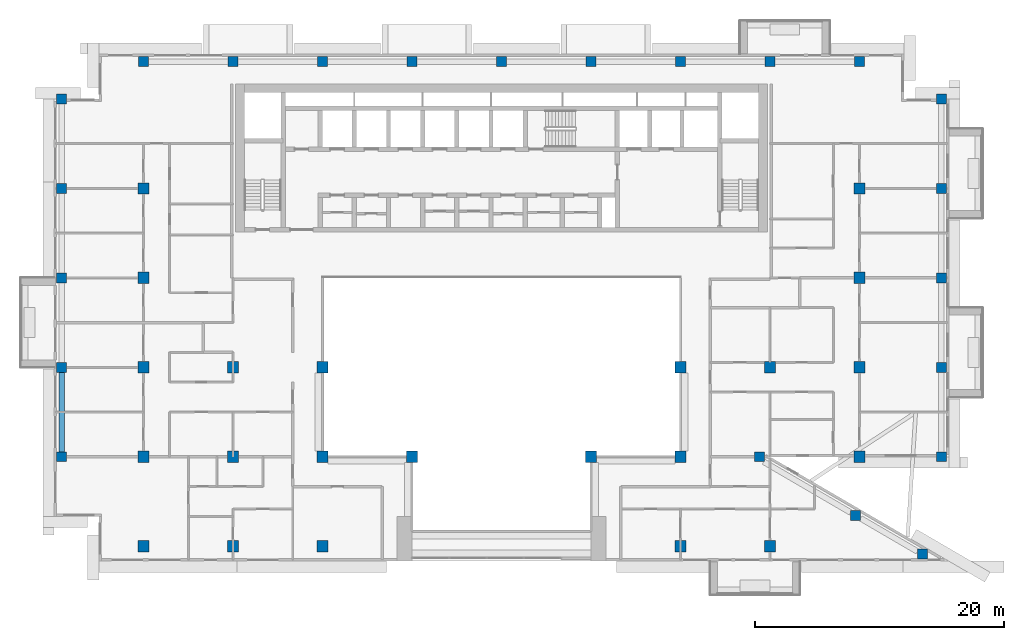
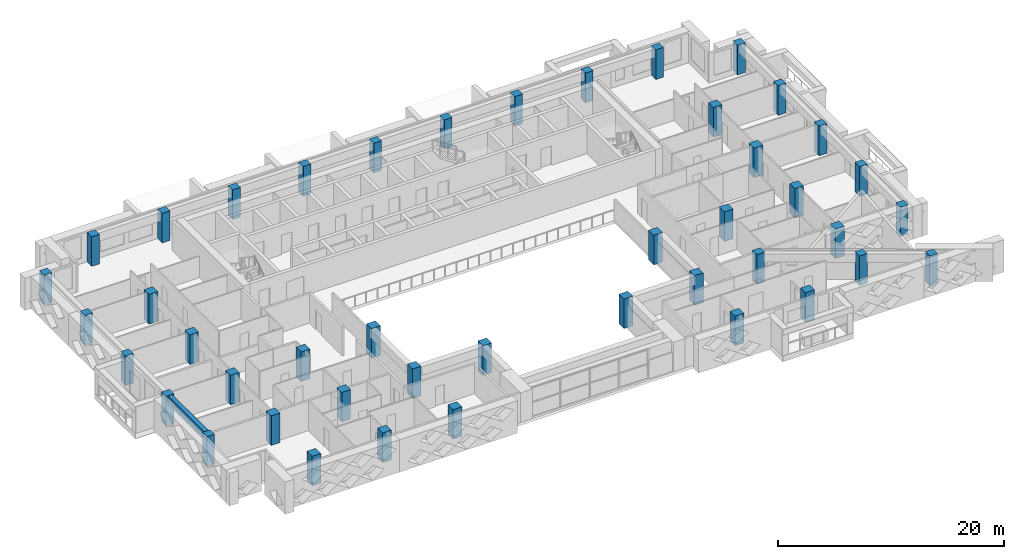
# One storey, part 1 of 20: 44 columns, 1 beam.
"""IFC4 building model written with IfcOpenShell, lengths in metres."""

from ifc_helpers import new_model, si_unit, direction, frame, origin, origin_2d, place, context, subcontext, project, spatial, rectangle, extrude, source, transform, mapped, material, material_profile, profile_set, type_object, element, save


model = new_model("IFC4")

# Units and contexts
model_context = context("Model", 3, precision=1e-05, world=origin(), true_north=direction((0.0, 1.0)))
body_context = subcontext(model_context, "Body", "Model", "MODEL_VIEW")
ifc_project = project(units=[si_unit("LENGTHUNIT", "METRE"), si_unit("AREAUNIT", "SQUARE_METRE"), si_unit("VOLUMEUNIT", "CUBIC_METRE"), si_unit("PLANEANGLEUNIT", "RADIAN"), si_unit("MASSUNIT", "GRAM", prefix="KILO")], contexts=[model_context])

# Site, building, storey
site_placement = place(None, origin())
site = spatial("IfcSite", under=ifc_project, at=site_placement, CompositionType="ELEMENT")
building_placement = place(site_placement, origin())
building = spatial("IfcBuilding", under=site, at=building_placement, Name="Saffron Iwan Residences", CompositionType="ELEMENT")
storey_placement = place(building_placement, frame((0.0, 0.0, 185.0)))
storey = spatial("IfcBuildingStorey", under=building, at=storey_placement, Name="L49", CompositionType="ELEMENT", Elevation=185.0)

# Columns
ifc_material = material(Name="Concrete C50/60", Category="concrete")
ifc_material_profile_1 = material_profile(ifc_material, rectangle(XDim=0.89990234375, YDim=0.89990234375, at=origin_2d()), Name="RC 900x900")
ifc_profile_set_1 = profile_set([ifc_material_profile_1], Name="Concrete C50/60")
column_type_1 = type_object("IfcColumnType", Name="COL RC 900x900 C50/60 3200 HIGH", PredefinedType="COLUMN", material=ifc_profile_set_1)
shared_shape_1 = source(origin(), body_context, "Body", "SweptSolid", [
    extrude(rectangle(XDim=0.89990234375, YDim=0.89990234375, at=origin_2d()), origin(), (0.0, 0.0, 1.0), 3.199951171875),
])
for number, where, z_axis, x_axis, name in (
    (1, (21.60009765625, 40.800048828125, 0.0), (0.0, 0.0, 1.0), (1.0, 0.0, 0.0), "Column C049"),
    (2, (28.800048828125, 40.800048828125, 0.0), (0.0, 0.0, 1.0), (1.0, 0.0, 0.0), "Column C051"),
    (3, (36.0, 40.800048828125, 0.0), (0.0, 0.0, 1.0), (1.0, 0.0, 0.0), "Column C052"),
    (4, (64.800048828125, 40.800048828125, 0.0), (0.0, 0.0, 1.0), (1.0, 0.0, 0.0), "Column C055"),
    (5, (72.0, 40.800048828125, 0.0), (0.0, 0.0, 1.0), (1.0, 0.0, 0.0), "Column C056"),
    (6, (21.60009765625, 48.0, 0.0), (0.0, 0.0, 1.0), (1.0, 0.0, 0.0), "Column C063"),
    (7, (28.800048828125, 48.0, 0.0), (0.0, 0.0, 1.0), (1.0, 0.0, 0.0), "Column C064"),
    (8, (36.0, 48.0, 0.0), (0.0, 0.0, 1.0), (1.0, 0.0, 0.0), "Column C065"),
    (9, (43.199951171875, 48.0, 0.0), (0.0, 0.0, 1.0), (1.0, 0.0, 0.0), "Column C066"),
    (10, (57.60009765625, 48.0, 0.0), (0.0, 0.0, 1.0), (1.0, 0.0, 0.0), "Column C068"),
    (11, (64.800048828125, 48.0, 0.0), (0.0, 0.0, 1.0), (1.0, 0.0, 0.0), "Column C069"),
    (12, (79.199951171875, 48.0, 0.0), (0.0, 0.0, 1.0), (1.0, 0.0, 0.0), "Column C072"),
    (13, (21.60009765625, 55.199951171875, 0.0), (0.0, 0.0, 1.0), (1.0, 0.0, 0.0), "Column C079"),
    (14, (28.800048828125, 55.199951171875, 0.0), (0.0, 0.0, 1.0), (1.0, 0.0, 0.0), "Column C080"),
    (15, (36.0, 55.199951171875, 0.0), (0.0, 0.0, 1.0), (1.0, 0.0, 0.0), "Column C081"),
    (16, (64.800048828125, 55.199951171875, 0.0), (0.0, 0.0, 1.0), (1.0, 0.0, 0.0), "Column C082"),
    (17, (72.0, 55.199951171875, 0.0), (0.0, 0.0, 1.0), (1.0, 0.0, 0.0), "Column C083"),
    (18, (79.199951171875, 55.199951171875, 0.0), (0.0, 0.0, 1.0), (1.0, 0.0, 0.0), "Column C084"),
    (19, (21.60009765625, 62.39990234375, 0.0), (0.0, 0.0, 1.0), (1.0, 0.0, 0.0), "Column C091"),
    (20, (79.199951171875, 62.39990234375, 0.0), (0.0, 0.0, 1.0), (1.0, 0.0, 0.0), "Column C092"),
    (21, (21.60009765625, 69.60009765625, 0.0), (0.0, 0.0, 1.0), (1.0, 0.0, 0.0), "Column C099"),
    (22, (79.199951171875, 69.60009765625, 0.0), (0.0, 0.0, 1.0), (1.0, 0.0, 0.0), "Column C100"),
):
    element("IfcColumn", number, at=place(storey_placement, frame(where, z_axis=z_axis, x_axis=x_axis)), inside=storey, type_object=column_type_1, Name=name, PredefinedType="COLUMN", context=body_context, shape_type="MappedRepresentation", body=[
        mapped(shared_shape_1, transform((0.0, 0.0, 0.0))),
    ])
ifc_material_profile_2 = material_profile(ifc_material, rectangle(XDim=0.800048828125, YDim=0.800048828125, at=origin_2d()), Name="RC 800x800")
ifc_profile_set_2 = profile_set([ifc_material_profile_2], Name="Concrete C50/60")
column_type_2 = type_object("IfcColumnType", Name="COL RC 800x800 C50/60 3200 HIGH", PredefinedType="COLUMN", material=ifc_profile_set_2)
shared_shape_2 = source(origin(), body_context, "Body", "SweptSolid", [
    extrude(rectangle(XDim=0.800048828125, YDim=0.800048828125, at=origin_2d()), origin(), (0.0, 0.0, 1.0), 3.199951171875),
])
for number, where, z_axis, x_axis, name in (
    (23, (84.276123046875, 40.17431640625, 0.0), (0.0, 0.0, 1.0), (1.0, 0.0, 0.0), "Column C045"),
    (24, (78.897705078125, 43.28173828125, 0.0), (0.0, 0.0, 1.0), (1.0, 0.0, 0.0), "Column C058"),
    (25, (15.0, 48.0, 0.0), (0.0, 0.0, 1.0), (1.0, 0.0, 0.0), "Column C061"),
    (26, (71.14990234375, 48.0, 0.0), (0.0, 0.0, 1.0), (1.0, 0.0, 0.0), "Column C070"),
    (27, (85.800048828125, 48.0, 0.0), (0.0, 0.0, 1.0), (1.0, 0.0, 0.0), "Column C074"),
    (28, (15.0, 55.199951171875, 0.0), (0.0, 0.0, 1.0), (1.0, 0.0, 0.0), "Column C077"),
    (29, (85.800048828125, 55.199951171875, 0.0), (0.0, 0.0, 1.0), (1.0, 0.0, 0.0), "Column C086"),
    (30, (15.0, 62.39990234375, 0.0), (0.0, 0.0, 1.0), (1.0, 0.0, 0.0), "Column C089"),
    (31, (85.800048828125, 62.39990234375, 0.0), (0.0, 0.0, 1.0), (1.0, 0.0, 0.0), "Column C094"),
    (32, (15.0, 69.60009765625, 0.0), (0.0, 0.0, 1.0), (1.0, 0.0, 0.0), "Column C097"),
    (33, (85.800048828125, 69.60009765625, 0.0), (0.0, 0.0, 1.0), (1.0, 0.0, 0.0), "Column C102"),
    (34, (15.0, 76.800048828125, 0.0), (0.0, 0.0, 1.0), (1.0, 0.0, 0.0), "Column C105"),
    (35, (85.800048828125, 76.800048828125, 0.0), (0.0, 0.0, 1.0), (1.0, 0.0, 0.0), "Column C110"),
    (36, (21.60009765625, 79.800048828125, 0.0), (0.0, 0.0, 1.0), (1.0, 0.0, 0.0), "Column C113"),
    (37, (28.800048828125, 79.800048828125, 0.0), (0.0, 0.0, 1.0), (1.0, 0.0, 0.0), "Column C115"),
    (38, (36.0, 79.800048828125, 0.0), (0.0, 0.0, 1.0), (1.0, 0.0, 0.0), "Column C116"),
    (39, (43.199951171875, 79.800048828125, 0.0), (0.0, 0.0, 1.0), (1.0, 0.0, 0.0), "Column C117"),
    (40, (50.39990234375, 79.800048828125, 0.0), (0.0, 0.0, 1.0), (1.0, 0.0, 0.0), "Column C118"),
    (41, (57.60009765625, 79.800048828125, 0.0), (0.0, 0.0, 1.0), (1.0, 0.0, 0.0), "Column C119"),
    (42, (64.800048828125, 79.800048828125, 0.0), (0.0, 0.0, 1.0), (1.0, 0.0, 0.0), "Column C120"),
    (43, (72.0, 79.800048828125, 0.0), (0.0, 0.0, 1.0), (1.0, 0.0, 0.0), "Column C121"),
    (44, (79.199951171875, 79.800048828125, 0.0), (0.0, 0.0, 1.0), (1.0, 0.0, 0.0), "Column C123"),
):
    element("IfcColumn", number, at=place(storey_placement, frame(where, z_axis=z_axis, x_axis=x_axis)), inside=storey, type_object=column_type_2, Name=name, PredefinedType="COLUMN", context=body_context, shape_type="MappedRepresentation", body=[
        mapped(shared_shape_2, transform((0.0, 0.0, 0.0))),
    ])

# Beam
ifc_material_profile_3 = material_profile(ifc_material, rectangle(XDim=0.449951171875, YDim=0.89990234375, at=origin_2d()), Name="RC 450x900")
ifc_profile_set_3 = profile_set([ifc_material_profile_3], Name="Concrete C50/60")
beam_type = type_object("IfcBeamType", Name="SPANDREL BEAM RC 450x900 C50/60 TOP 3200", PredefinedType="SPANDREL", material=ifc_profile_set_3)
shared_shape_3 = source(origin(), body_context, "Body", "SweptSolid", [
    extrude(rectangle(XDim=0.449951171875, YDim=0.89990234375, at=origin_2d()), origin(), (0.0, 0.0, 1.0), 6.400146484375),
])
beam_placement = place(storey_placement, frame((15.0, 48.39990234375, 2.75), z_axis=(0.0, 1.0, 0.0), x_axis=(-1.0, 0.0, 0.0)))
element("IfcBeam", 45, at=beam_placement, inside=storey, type_object=beam_type, Name="Spandrel beam", PredefinedType="SPANDREL", context=body_context, shape_type="MappedRepresentation", body=[
    mapped(shared_shape_3, transform((0.0, 0.0, 0.0))),
])

save(model, "model.ifc")
